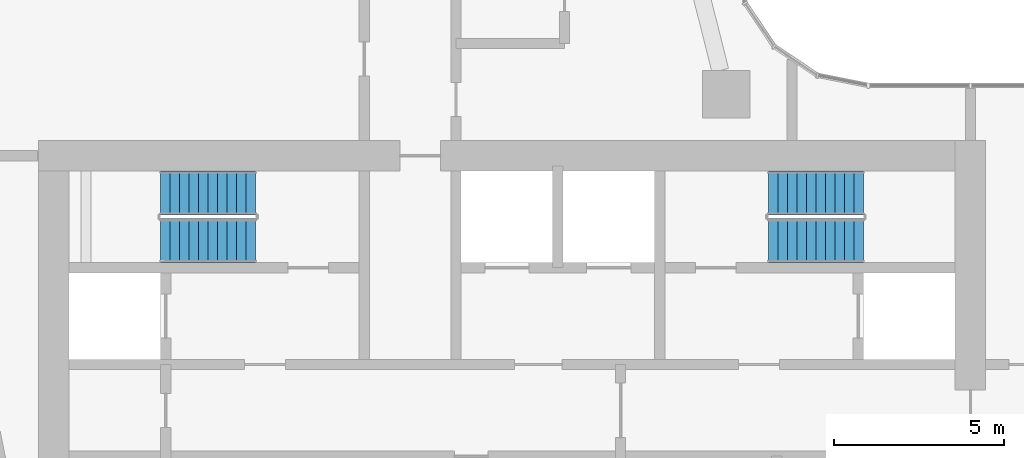
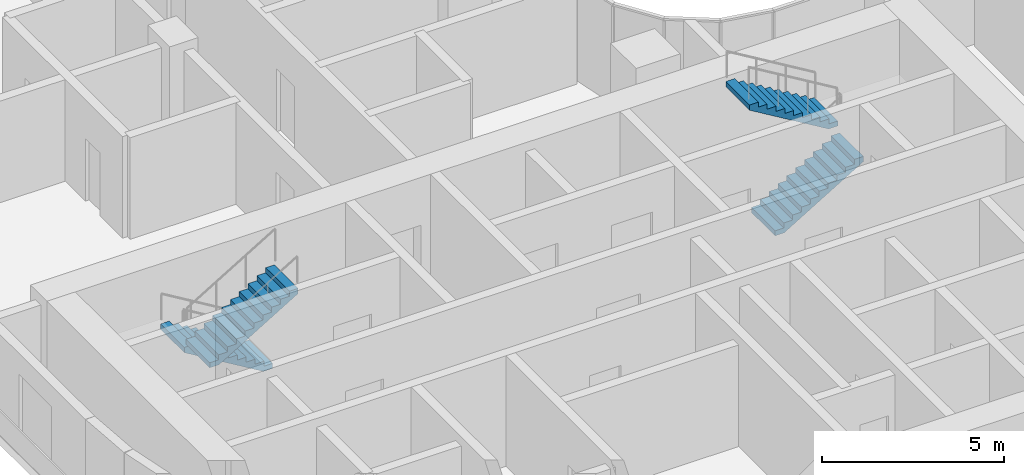
# One storey, part 24 of 32: 4 stair flights, 2 elements without a shape of their own.
"""IFC4 building model written with IfcOpenShell, lengths in metres."""

import ifcopenshell
import ifcopenshell.guid

model = None  # the IFC model being written
_history = None  # IfcOwnerHistory: only IFC2X3 demands one
_inside = {}  # id of a spatial element -> (the spatial element, [elements in it])
_under = {}  # id of a project, library or spatial element -> (it, [spatial elements below it])
_declared = {}  # id of a project -> (the project, [libraries it declares])
_typed = {}  # id of a type object -> (the type object, [elements of that type])
_made_of = {}  # id of a material, layer set ... -> (it, [elements and type objects made of it])


def new_model(schema):
    """Start an empty IFC model of exactly this schema.

    Asked for "IFC4X3", IfcOpenShell would pick the latest addendum, in which some entities
    have other attributes; the version numbers below select the first issue.
    IFC2X3 requires an IfcOwnerHistory on every rooted entity: one is made here for all.
    """
    global model, _history
    if schema == "IFC4X3":
        model = ifcopenshell.file(schema_version=(4, 3, 0, 0))
    else:
        model = ifcopenshell.file(schema=schema)
    _inside.clear()
    _under.clear()
    _declared.clear()
    _typed.clear()
    _made_of.clear()
    _history = None
    if model.schema == "IFC2X3":
        org = make("IfcOrganization", Name="unknown")
        user = make(
            "IfcPersonAndOrganization",
            ThePerson=make("IfcPerson", FamilyName="unknown"),
            TheOrganization=org,
        )
        app = make(
            "IfcApplication",
            ApplicationDeveloper=org,
            Version="unknown",
            ApplicationFullName="unknown",
            ApplicationIdentifier="unknown",
        )
        _history = make(
            "IfcOwnerHistory",
            OwningUser=user,
            OwningApplication=app,
            ChangeAction="ADDED",
            CreationDate=0,
        )
    return model


def make(cls, **values):
    """One entity of the class cls with the attributes given. An attribute that is None is left unset."""
    return model.create_entity(
        cls, **{name: value for name, value in values.items() if value is not None}
    )


def rooted(cls, **values):
    """An entity with a GlobalId (a new one), such as an element, a storey or a relation."""
    return make(cls, GlobalId=ifcopenshell.guid.new(), OwnerHistory=_history, **values)


def si_unit(unit_type, name, prefix=None):
    """IfcSIUnit, for example si_unit("LENGTHUNIT", "METRE", prefix="MILLI")."""
    return make("IfcSIUnit", UnitType=unit_type, Prefix=prefix, Name=name)


def assignment(units):
    """IfcUnitAssignment: the units of a project."""
    return None if units is None else make("IfcUnitAssignment", Units=units)


def point(xyz):
    """IfcCartesianPoint."""
    return None if xyz is None else make("IfcCartesianPoint", Coordinates=xyz)


def direction(xyz):
    """IfcDirection."""
    return None if xyz is None else make("IfcDirection", DirectionRatios=xyz)


def frame(location, z_axis=None, x_axis=None):
    """IfcAxis2Placement3D, a coordinate frame: its origin and axes. An axis left out is left unset."""
    return make(
        "IfcAxis2Placement3D",
        Location=point(location),
        Axis=direction(z_axis),
        RefDirection=direction(x_axis),
    )


def origin():
    """The frame at (0, 0, 0) with its axes left unset."""
    return frame((0.0, 0.0, 0.0))


def place(relative_to, where):
    """IfcLocalPlacement: puts the frame where relative to a parent placement (None: the world)."""
    return make(
        "IfcLocalPlacement", PlacementRelTo=relative_to, RelativePlacement=where
    )


def context(
    kind, dimensions, precision=None, world=None, true_north=None, identifier=None
):
    """IfcGeometricRepresentationContext, for example the 3D "Model" context."""
    return make(
        "IfcGeometricRepresentationContext",
        ContextIdentifier=identifier,
        ContextType=kind,
        CoordinateSpaceDimension=dimensions,
        Precision=precision,
        WorldCoordinateSystem=world,
        TrueNorth=true_north,
    )


def subcontext(parent, identifier, kind, view, scale=None):
    """IfcGeometricRepresentationSubContext, for example "Body" below "Model"."""
    return make(
        "IfcGeometricRepresentationSubContext",
        ContextIdentifier=identifier,
        ContextType=kind,
        ParentContext=parent,
        TargetScale=scale,
        TargetView=view,
    )


def project(units=None, contexts=None):
    """IfcProject with its units and contexts."""
    return rooted(
        "IfcProject",
        Name="project",
        RepresentationContexts=contexts,
        UnitsInContext=assignment(units),
    )


def spatial(cls, under=None, at=None, **own):
    """A site, building, storey or space (cls), placed at a placement, below another one or the project."""
    s = rooted(cls, ObjectPlacement=at, **own)
    if under is not None:
        _under.setdefault(under.id(), (under, []))[1].append(s)
    return s


def point_list(points):
    """IfcCartesianPointList2D or 3D."""
    cls = (
        "IfcCartesianPointList2D" if len(points[0]) == 2 else "IfcCartesianPointList3D"
    )
    return make(cls, CoordList=points)


def triangles(points, corners, closed=None, point_numbers=None):
    """IfcTriangulatedFaceSet: each triangle names its three corners, points numbered from 1."""
    return make(
        "IfcTriangulatedFaceSet",
        Coordinates=point_list(points),
        Closed=closed,
        CoordIndex=corners,
        PnIndex=point_numbers,
    )


def shape(context_of_items, identifier, shape_type, items):
    """IfcShapeRepresentation: the items that make up one representation, for example the "Body"."""
    return make(
        "IfcShapeRepresentation",
        ContextOfItems=context_of_items,
        RepresentationIdentifier=identifier,
        RepresentationType=shape_type,
        Items=items,
    )


def source(mapping_origin, context_of_items, identifier, shape_type, items):
    """IfcRepresentationMap: a shape defined once, which mapped items show again and again."""
    return make(
        "IfcRepresentationMap",
        MappingOrigin=mapping_origin,
        MappedRepresentation=shape(context_of_items, identifier, shape_type, items),
    )


def transform(
    local_origin,
    x_axis=None,
    y_axis=None,
    z_axis=None,
    scale=None,
    scale2=None,
    scale3=None,
    uniform=True,
):
    """IfcCartesianTransformationOperator3D, or its non-uniform kind. x_axis, y_axis, z_axis: its Axis1, 2, 3."""
    if uniform:
        return make(
            "IfcCartesianTransformationOperator3D",
            Axis1=direction(x_axis),
            Axis2=direction(y_axis),
            LocalOrigin=point(local_origin),
            Scale=scale,
            Axis3=direction(z_axis),
        )
    return make(
        "IfcCartesianTransformationOperator3DnonUniform",
        Axis1=direction(x_axis),
        Axis2=direction(y_axis),
        LocalOrigin=point(local_origin),
        Scale=scale,
        Axis3=direction(z_axis),
        Scale2=scale2,
        Scale3=scale3,
    )


def mapped(mapping_source, mapping_target):
    """IfcMappedItem: shows the shape of a source again, moved by a transform."""
    return make(
        "IfcMappedItem", MappingSource=mapping_source, MappingTarget=mapping_target
    )


def material(Name=None, Category=None):
    """IfcMaterial."""
    return make("IfcMaterial", Name=Name, Category=Category)


def made_of(thing, what):
    """Note that an element or type object is made of a material, layer set ...; save() writes the relation."""
    if what is not None:
        _made_of.setdefault(what.id(), (what, []))[1].append(thing)
    return thing


def type_object(cls, material=None, **own):
    """A type object (cls), such as IfcWallType, which elements share."""
    return made_of(rooted(cls, **own), material)


def element(
    cls,
    number,
    at=None,
    inside=None,
    cuts=None,
    type_object=None,
    material=None,
    context=None,
    identifier="Body",
    shape_type=None,
    held_by="IfcProductDefinitionShape",
    body=None,
    shapes=None,
    **own,
):
    """One element of the class cls, such as IfcWall. Its Tag is "e" and its number.

    at: its placement. inside: the storey or other place that contains it. cuts: it is an
    opening in that element (IfcRelVoidsElement). A single representation is given by context,
    identifier, shape_type and body (its items); several are given by shapes. held_by: the class
    of the entity that holds the representations. save() writes the other relations.
    """
    e = rooted(cls, Tag="e%d" % number, ObjectPlacement=at, **own)
    if body is not None:
        shapes = [shape(context, identifier, shape_type, body)]
    if shapes is not None:
        e.Representation = make(held_by, Representations=shapes)
    if inside is not None:
        _inside.setdefault(inside.id(), (inside, []))[1].append(e)
    if cuts is not None:
        rooted(
            "IfcRelVoidsElement", RelatingBuildingElement=cuts, RelatedOpeningElement=e
        )
    if type_object is not None:
        _typed.setdefault(type_object.id(), (type_object, []))[1].append(e)
    return made_of(e, material)


def aggregate(whole, parts):
    """IfcRelAggregates: a whole, such as a stair, and the parts it consists of."""
    return rooted("IfcRelAggregates", RelatingObject=whole, RelatedObjects=parts)


def save(model, path):
    """Write the relations noted so far, then the file.

    IfcRelAggregates (storeys below a building ...), IfcRelContainedInSpatialStructure (elements
    in a storey), IfcRelDefinesByType, IfcRelAssociatesMaterial and IfcRelDeclares: one each for
    every whole, place, type object, material and project.
    """
    for whole, parts in _under.values():
        aggregate(whole, parts)
    for where, things in _inside.values():
        rooted(
            "IfcRelContainedInSpatialStructure",
            RelatedElements=things,
            RelatingStructure=where,
        )
    for kind, things in _typed.values():
        rooted("IfcRelDefinesByType", RelatedObjects=things, RelatingType=kind)
    for what, things in _made_of.values():
        rooted("IfcRelAssociatesMaterial", RelatedObjects=things, RelatingMaterial=what)
    for by, libraries in _declared.values():
        rooted("IfcRelDeclares", RelatingContext=by, RelatedDefinitions=libraries)
    model.write(path)


model = new_model("IFC4")

# Units and contexts
model_context = context("Model", 3, precision=1e-05, world=origin(), true_north=direction((0.0, 1.0)))
body_context = subcontext(model_context, "Body", "Model", "MODEL_VIEW")
ifc_project = project(units=[si_unit("LENGTHUNIT", "METRE"), si_unit("AREAUNIT", "SQUARE_METRE"), si_unit("VOLUMEUNIT", "CUBIC_METRE"), si_unit("PLANEANGLEUNIT", "RADIAN"), si_unit("MASSUNIT", "GRAM", prefix="KILO")], contexts=[model_context])

# Site, building, storey
site_placement = place(None, origin())
site = spatial("IfcSite", under=ifc_project, at=site_placement, CompositionType="ELEMENT")
building_placement = place(site_placement, origin())
building = spatial("IfcBuilding", under=site, at=building_placement, Name="Ogive Portal Towers", CompositionType="ELEMENT")
storey_placement = place(building_placement, frame((0.0, 0.0, 55.699951171875)))
storey = spatial("IfcBuildingStorey", under=building, at=storey_placement, Name="L12", CompositionType="ELEMENT", Elevation=55.699951171875)

# Stair, stair flights
ifc_material = material(Name="Concrete C40/50", Category="concrete")
stair_type = type_object("IfcStairType", Name="INT-STAIR", PredefinedType="HALF_TURN_STAIR", material=ifc_material)
stair_1_placement = place(storey_placement, origin())
stair_1 = element("IfcStair", 1, at=stair_1_placement, inside=storey, type_object=stair_type, Name="L12 Exit Stair ST-A1", PredefinedType="HALF_TURN_STAIR")
stair_flight_type = type_object("IfcStairFlightType", Name="INT-FLIGHT", PredefinedType="STRAIGHT", material=ifc_material)
shared_shape = source(origin(), body_context, "Body", "Tessellation", [
    triangles([(0.0, -0.650146484375, 0.0), (0.0, -0.376220703125, 0.0), (0.0, -0.192626953125, 0.0), (0.0, -0.081298828125, 0.0), (0.0, -0.024169921875, 0.0), (0.0, -0.003173828125, 0.0), (0.0, 0.0, 0.0), (0.0, 0.0029296875, 0.0), (0.0, 0.02392578125, 0.0), (0.0, 0.0810546875, 0.0), (0.0, 0.1923828125, 0.0), (0.0, 0.3759765625, 0.0), (0.0, 0.64990234375, 0.0), (0.0, -0.650146484375, 0.168212890625), (0.0, -0.376220703125, 0.168212890625), (0.0, -0.192626953125, 0.168212890625), (0.0, -0.081298828125, 0.168212890625), (0.0, -0.024169921875, 0.168212890625), (0.0, -0.003173828125, 0.168212890625), (0.0, 0.0, 0.168212890625), (0.0, 0.0029296875, 0.168212890625), (0.0, 0.02392578125, 0.168212890625), (0.0, 0.0810546875, 0.168212890625), (0.0, 0.1923828125, 0.168212890625), (0.0, 0.3759765625, 0.168212890625), (0.0, 0.64990234375, 0.168212890625), (0.280029296875, -0.650146484375, 0.168212890625), (0.280029296875, -0.376220703125, 0.168212890625), (0.280029296875, -0.192626953125, 0.168212890625), (0.280029296875, -0.081298828125, 0.168212890625), (0.280029296875, -0.024169921875, 0.168212890625), (0.280029296875, -0.003173828125, 0.168212890625), (0.280029296875, 0.0, 0.168212890625), (0.280029296875, 0.0029296875, 0.168212890625), (0.280029296875, 0.02392578125, 0.168212890625), (0.280029296875, 0.0810546875, 0.168212890625), (0.280029296875, 0.1923828125, 0.168212890625), (0.280029296875, 0.3759765625, 0.168212890625), (0.280029296875, 0.64990234375, 0.168212890625), (0.280029296875, -0.650146484375, 0.33642578125), (0.280029296875, -0.376220703125, 0.33642578125), (0.280029296875, -0.192626953125, 0.33642578125), (0.280029296875, -0.081298828125, 0.33642578125), (0.280029296875, -0.024169921875, 0.33642578125), (0.280029296875, -0.003173828125, 0.33642578125), (0.280029296875, 0.0, 0.33642578125), (0.280029296875, 0.0029296875, 0.33642578125), (0.280029296875, 0.02392578125, 0.33642578125), (0.280029296875, 0.0810546875, 0.33642578125), (0.280029296875, 0.1923828125, 0.33642578125), (0.280029296875, 0.3759765625, 0.33642578125), (0.280029296875, 0.64990234375, 0.33642578125), (0.56005859375, -0.650146484375, 0.33642578125), (0.56005859375, -0.376220703125, 0.33642578125), (0.56005859375, -0.192626953125, 0.33642578125), (0.56005859375, -0.081298828125, 0.33642578125), (0.56005859375, -0.024169921875, 0.33642578125), (0.56005859375, -0.003173828125, 0.33642578125), (0.56005859375, 0.0, 0.33642578125), (0.56005859375, 0.0029296875, 0.33642578125), (0.56005859375, 0.02392578125, 0.33642578125), (0.56005859375, 0.0810546875, 0.33642578125), (0.56005859375, 0.1923828125, 0.33642578125), (0.56005859375, 0.3759765625, 0.33642578125), (0.56005859375, 0.64990234375, 0.33642578125), (0.56005859375, -0.650146484375, 0.504638671875), (0.56005859375, -0.376220703125, 0.504638671875), (0.56005859375, -0.192626953125, 0.504638671875), (0.56005859375, -0.081298828125, 0.504638671875), (0.56005859375, -0.024169921875, 0.504638671875), (0.56005859375, -0.003173828125, 0.504638671875), (0.56005859375, 0.0, 0.504638671875), (0.56005859375, 0.0029296875, 0.504638671875), (0.56005859375, 0.02392578125, 0.504638671875), (0.56005859375, 0.0810546875, 0.504638671875), (0.56005859375, 0.1923828125, 0.504638671875), (0.56005859375, 0.3759765625, 0.504638671875), (0.56005859375, 0.64990234375, 0.504638671875), (0.840087890625, -0.650146484375, 0.504638671875), (0.840087890625, -0.376220703125, 0.504638671875), (0.840087890625, -0.192626953125, 0.504638671875), (0.840087890625, -0.081298828125, 0.504638671875), (0.840087890625, -0.024169921875, 0.504638671875), (0.840087890625, -0.003173828125, 0.504638671875), (0.840087890625, 0.0, 0.504638671875), (0.840087890625, 0.0029296875, 0.504638671875), (0.840087890625, 0.02392578125, 0.504638671875), (0.840087890625, 0.0810546875, 0.504638671875), (0.840087890625, 0.1923828125, 0.504638671875), (0.840087890625, 0.3759765625, 0.504638671875), (0.840087890625, 0.64990234375, 0.504638671875), (0.840087890625, -0.650146484375, 0.672607421875), (0.840087890625, -0.376220703125, 0.672607421875), (0.840087890625, -0.192626953125, 0.672607421875), (0.840087890625, -0.081298828125, 0.672607421875), (0.840087890625, -0.024169921875, 0.672607421875), (0.840087890625, -0.003173828125, 0.672607421875), (0.840087890625, 0.0, 0.672607421875), (0.840087890625, 0.0029296875, 0.672607421875), (0.840087890625, 0.02392578125, 0.672607421875), (0.840087890625, 0.0810546875, 0.672607421875), (0.840087890625, 0.1923828125, 0.672607421875), (0.840087890625, 0.3759765625, 0.672607421875), (0.840087890625, 0.64990234375, 0.672607421875), (1.1201171875, -0.650146484375, 0.672607421875), (1.1201171875, -0.376220703125, 0.672607421875), (1.1201171875, -0.192626953125, 0.672607421875), (1.1201171875, -0.081298828125, 0.672607421875), (1.1201171875, -0.024169921875, 0.672607421875), (1.1201171875, -0.003173828125, 0.672607421875), (1.1201171875, 0.0, 0.672607421875), (1.1201171875, 0.0029296875, 0.672607421875), (1.1201171875, 0.02392578125, 0.672607421875), (1.1201171875, 0.0810546875, 0.672607421875), (1.1201171875, 0.1923828125, 0.672607421875), (1.1201171875, 0.3759765625, 0.672607421875), (1.1201171875, 0.64990234375, 0.672607421875), (1.1201171875, -0.650146484375, 0.8408203125), (1.1201171875, -0.376220703125, 0.8408203125), (1.1201171875, -0.192626953125, 0.8408203125), (1.1201171875, -0.081298828125, 0.8408203125), (1.1201171875, -0.024169921875, 0.8408203125), (1.1201171875, -0.003173828125, 0.8408203125), (1.1201171875, 0.0, 0.8408203125), (1.1201171875, 0.0029296875, 0.8408203125), (1.1201171875, 0.02392578125, 0.8408203125), (1.1201171875, 0.0810546875, 0.8408203125), (1.1201171875, 0.1923828125, 0.8408203125), (1.1201171875, 0.3759765625, 0.8408203125), (1.1201171875, 0.64990234375, 0.8408203125), (1.39990234375, -0.650146484375, 0.8408203125), (1.39990234375, -0.376220703125, 0.8408203125), (1.39990234375, -0.192626953125, 0.8408203125), (1.39990234375, -0.081298828125, 0.8408203125), (1.39990234375, -0.024169921875, 0.8408203125), (1.39990234375, -0.003173828125, 0.8408203125), (1.39990234375, 0.0, 0.8408203125), (1.39990234375, 0.0029296875, 0.8408203125), (1.39990234375, 0.02392578125, 0.8408203125), (1.39990234375, 0.0810546875, 0.8408203125), (1.39990234375, 0.1923828125, 0.8408203125), (1.39990234375, 0.3759765625, 0.8408203125), (1.39990234375, 0.64990234375, 0.8408203125), (1.39990234375, -0.650146484375, 1.009033203125), (1.39990234375, -0.376220703125, 1.009033203125), (1.39990234375, -0.192626953125, 1.009033203125), (1.39990234375, -0.081298828125, 1.009033203125), (1.39990234375, -0.024169921875, 1.009033203125), (1.39990234375, -0.003173828125, 1.009033203125), (1.39990234375, 0.0, 1.009033203125), (1.39990234375, 0.0029296875, 1.009033203125), (1.39990234375, 0.02392578125, 1.009033203125), (1.39990234375, 0.0810546875, 1.009033203125), (1.39990234375, 0.1923828125, 1.009033203125), (1.39990234375, 0.3759765625, 1.009033203125), (1.39990234375, 0.64990234375, 1.009033203125), (1.679931640625, -0.650146484375, 1.009033203125), (1.679931640625, -0.376220703125, 1.009033203125), (1.679931640625, -0.192626953125, 1.009033203125), (1.679931640625, -0.081298828125, 1.009033203125), (1.679931640625, -0.024169921875, 1.009033203125), (1.679931640625, -0.003173828125, 1.009033203125), (1.679931640625, 0.0, 1.009033203125), (1.679931640625, 0.0029296875, 1.009033203125), (1.679931640625, 0.02392578125, 1.009033203125), (1.679931640625, 0.0810546875, 1.009033203125), (1.679931640625, 0.1923828125, 1.009033203125), (1.679931640625, 0.3759765625, 1.009033203125), (1.679931640625, 0.64990234375, 1.009033203125), (1.679931640625, -0.650146484375, 1.17724609375), (1.679931640625, -0.376220703125, 1.17724609375), (1.679931640625, -0.192626953125, 1.17724609375), (1.679931640625, -0.081298828125, 1.17724609375), (1.679931640625, -0.024169921875, 1.17724609375), (1.679931640625, -0.003173828125, 1.17724609375), (1.679931640625, 0.0, 1.17724609375), (1.679931640625, 0.0029296875, 1.17724609375), (1.679931640625, 0.02392578125, 1.17724609375), (1.679931640625, 0.0810546875, 1.17724609375), (1.679931640625, 0.1923828125, 1.17724609375), (1.679931640625, 0.3759765625, 1.17724609375), (1.679931640625, 0.64990234375, 1.17724609375), (1.9599609375, -0.650146484375, 1.17724609375), (1.9599609375, -0.376220703125, 1.17724609375), (1.9599609375, -0.192626953125, 1.17724609375), (1.9599609375, -0.081298828125, 1.17724609375), (1.9599609375, -0.024169921875, 1.17724609375), (1.9599609375, -0.003173828125, 1.17724609375), (1.9599609375, 0.0, 1.17724609375), (1.9599609375, 0.0029296875, 1.17724609375), (1.9599609375, 0.02392578125, 1.17724609375), (1.9599609375, 0.0810546875, 1.17724609375), (1.9599609375, 0.1923828125, 1.17724609375), (1.9599609375, 0.3759765625, 1.17724609375), (1.9599609375, 0.64990234375, 1.17724609375), (1.9599609375, -0.650146484375, 1.345458984375), (1.9599609375, -0.376220703125, 1.345458984375), (1.9599609375, -0.192626953125, 1.345458984375), (1.9599609375, -0.081298828125, 1.345458984375), (1.9599609375, -0.024169921875, 1.345458984375), (1.9599609375, -0.003173828125, 1.345458984375), (1.9599609375, 0.0, 1.345458984375), (1.9599609375, 0.0029296875, 1.345458984375), (1.9599609375, 0.02392578125, 1.345458984375), (1.9599609375, 0.0810546875, 1.345458984375), (1.9599609375, 0.1923828125, 1.345458984375), (1.9599609375, 0.3759765625, 1.345458984375), (1.9599609375, 0.64990234375, 1.345458984375), (2.239990234375, -0.650146484375, 1.345458984375), (2.239990234375, -0.376220703125, 1.345458984375), (2.239990234375, -0.192626953125, 1.345458984375), (2.239990234375, -0.081298828125, 1.345458984375), (2.239990234375, -0.024169921875, 1.345458984375), (2.239990234375, -0.003173828125, 1.345458984375), (2.239990234375, 0.0, 1.345458984375), (2.239990234375, 0.0029296875, 1.345458984375), (2.239990234375, 0.02392578125, 1.345458984375), (2.239990234375, 0.0810546875, 1.345458984375), (2.239990234375, 0.1923828125, 1.345458984375), (2.239990234375, 0.3759765625, 1.345458984375), (2.239990234375, 0.64990234375, 1.345458984375), (2.239990234375, -0.650146484375, 1.513671875), (2.239990234375, -0.376220703125, 1.513671875), (2.239990234375, -0.192626953125, 1.513671875), (2.239990234375, -0.081298828125, 1.513671875), (2.239990234375, -0.024169921875, 1.513671875), (2.239990234375, -0.003173828125, 1.513671875), (2.239990234375, 0.0, 1.513671875), (2.239990234375, 0.0029296875, 1.513671875), (2.239990234375, 0.02392578125, 1.513671875), (2.239990234375, 0.0810546875, 1.513671875), (2.239990234375, 0.1923828125, 1.513671875), (2.239990234375, 0.3759765625, 1.513671875), (2.239990234375, 0.64990234375, 1.513671875), (2.52001953125, -0.650146484375, 1.513671875), (2.52001953125, -0.376220703125, 1.513671875), (2.52001953125, -0.192626953125, 1.513671875), (2.52001953125, -0.081298828125, 1.513671875), (2.52001953125, -0.024169921875, 1.513671875), (2.52001953125, -0.003173828125, 1.513671875), (2.52001953125, 0.0, 1.513671875), (2.52001953125, 0.0029296875, 1.513671875), (2.52001953125, 0.02392578125, 1.513671875), (2.52001953125, 0.0810546875, 1.513671875), (2.52001953125, 0.1923828125, 1.513671875), (2.52001953125, 0.3759765625, 1.513671875), (2.52001953125, 0.64990234375, 1.513671875), (2.52001953125, -0.650146484375, 1.681884765625), (2.52001953125, -0.376220703125, 1.681884765625), (2.52001953125, -0.192626953125, 1.681884765625), (2.52001953125, -0.081298828125, 1.681884765625), (2.52001953125, -0.024169921875, 1.681884765625), (2.52001953125, -0.003173828125, 1.681884765625), (2.52001953125, 0.0, 1.681884765625), (2.52001953125, 0.0029296875, 1.681884765625), (2.52001953125, 0.02392578125, 1.681884765625), (2.52001953125, 0.0810546875, 1.681884765625), (2.52001953125, 0.1923828125, 1.681884765625), (2.52001953125, 0.3759765625, 1.681884765625), (2.52001953125, 0.64990234375, 1.681884765625), (2.800048828125, -0.650146484375, 1.681884765625), (2.800048828125, -0.376220703125, 1.681884765625), (2.800048828125, -0.192626953125, 1.681884765625), (2.800048828125, -0.081298828125, 1.681884765625), (2.800048828125, -0.024169921875, 1.681884765625), (2.800048828125, -0.003173828125, 1.681884765625), (2.800048828125, 0.0, 1.681884765625), (2.800048828125, 0.0029296875, 1.681884765625), (2.800048828125, 0.02392578125, 1.681884765625), (2.800048828125, 0.0810546875, 1.681884765625), (2.800048828125, 0.1923828125, 1.681884765625), (2.800048828125, 0.3759765625, 1.681884765625), (2.800048828125, 0.64990234375, 1.681884765625), (2.800048828125, -0.650146484375, 1.5068359375), (2.800048828125, -0.376220703125, 1.5068359375), (2.800048828125, -0.192626953125, 1.5068359375), (2.800048828125, -0.081298828125, 1.5068359375), (2.800048828125, -0.024169921875, 1.5068359375), (2.800048828125, -0.003173828125, 1.5068359375), (2.800048828125, 0.0, 1.5068359375), (2.800048828125, 0.0029296875, 1.5068359375), (2.800048828125, 0.02392578125, 1.5068359375), (2.800048828125, 0.0810546875, 1.5068359375), (2.800048828125, 0.1923828125, 1.5068359375), (2.800048828125, 0.3759765625, 1.5068359375), (2.800048828125, 0.64990234375, 1.5068359375), (0.291015625, -0.650146484375, 0.0), (0.291015625, -0.376220703125, 0.0), (0.291015625, -0.192626953125, 0.0), (0.291015625, -0.081298828125, 0.0), (0.291015625, -0.024169921875, 0.0), (0.291015625, -0.003173828125, 0.0), (0.291015625, 0.0, 0.0), (0.291015625, 0.0029296875, 0.0), (0.291015625, 0.02392578125, 0.0), (0.291015625, 0.0810546875, 0.0), (0.291015625, 0.1923828125, 0.0), (0.291015625, 0.3759765625, 0.0), (0.291015625, 0.64990234375, 0.0)], [[1, 14, 15], [1, 15, 2], [2, 15, 16], [2, 16, 3], [3, 16, 17], [3, 17, 4], [4, 17, 18], [4, 18, 5], [5, 18, 19], [5, 19, 6], [6, 19, 20], [6, 20, 7], [7, 20, 21], [7, 21, 8], [8, 21, 22], [8, 22, 9], [9, 22, 23], [9, 23, 10], [10, 23, 24], [10, 24, 11], [11, 24, 25], [11, 25, 12], [12, 25, 26], [12, 26, 13], [14, 27, 28], [14, 28, 15], [15, 28, 29], [15, 29, 16], [16, 29, 30], [16, 30, 17], [17, 30, 31], [17, 31, 18], [18, 31, 32], [18, 32, 19], [19, 32, 33], [19, 33, 20], [20, 33, 34], [20, 34, 21], [21, 34, 35], [21, 35, 22], [22, 35, 36], [22, 36, 23], [23, 36, 37], [23, 37, 24], [24, 37, 38], [24, 38, 25], [25, 38, 39], [25, 39, 26], [27, 40, 41], [27, 41, 28], [28, 41, 42], [28, 42, 29], [29, 42, 43], [29, 43, 30], [30, 43, 44], [30, 44, 31], [31, 44, 45], [31, 45, 32], [32, 45, 46], [32, 46, 33], [33, 46, 47], [33, 47, 34], [34, 47, 48], [34, 48, 35], [35, 48, 49], [35, 49, 36], [36, 49, 50], [36, 50, 37], [37, 50, 51], [37, 51, 38], [38, 51, 52], [38, 52, 39], [40, 53, 54], [40, 54, 41], [41, 54, 55], [41, 55, 42], [42, 55, 56], [42, 56, 43], [43, 56, 57], [43, 57, 44], [44, 57, 58], [44, 58, 45], [45, 58, 59], [45, 59, 46], [46, 59, 60], [46, 60, 47], [47, 60, 61], [47, 61, 48], [48, 61, 62], [48, 62, 49], [49, 62, 63], [49, 63, 50], [50, 63, 64], [50, 64, 51], [51, 64, 65], [51, 65, 52], [53, 66, 67], [53, 67, 54], [54, 67, 68], [54, 68, 55], [55, 68, 69], [55, 69, 56], [56, 69, 70], [56, 70, 57], [57, 70, 71], [57, 71, 58], [58, 71, 72], [58, 72, 59], [59, 72, 73], [59, 73, 60], [60, 73, 74], [60, 74, 61], [61, 74, 75], [61, 75, 62], [62, 75, 76], [62, 76, 63], [63, 76, 77], [63, 77, 64], [64, 77, 78], [64, 78, 65], [66, 79, 80], [66, 80, 67], [67, 80, 81], [67, 81, 68], [68, 81, 82], [68, 82, 69], [69, 82, 83], [69, 83, 70], [70, 83, 84], [70, 84, 71], [71, 84, 85], [71, 85, 72], [72, 85, 86], [72, 86, 73], [73, 86, 87], [73, 87, 74], [74, 87, 88], [74, 88, 75], [75, 88, 89], [75, 89, 76], [76, 89, 90], [76, 90, 77], [77, 90, 91], [77, 91, 78], [79, 92, 93], [79, 93, 80], [80, 93, 94], [80, 94, 81], [81, 94, 95], [81, 95, 82], [82, 95, 96], [82, 96, 83], [83, 96, 97], [83, 97, 84], [84, 97, 98], [84, 98, 85], [85, 98, 99], [85, 99, 86], [86, 99, 100], [86, 100, 87], [87, 100, 101], [87, 101, 88], [88, 101, 102], [88, 102, 89], [89, 102, 103], [89, 103, 90], [90, 103, 104], [90, 104, 91], [92, 105, 106], [92, 106, 93], [93, 106, 107], [93, 107, 94], [94, 107, 108], [94, 108, 95], [95, 108, 109], [95, 109, 96], [96, 109, 110], [96, 110, 97], [97, 110, 111], [97, 111, 98], [98, 111, 112], [98, 112, 99], [99, 112, 113], [99, 113, 100], [100, 113, 114], [100, 114, 101], [101, 114, 115], [101, 115, 102], [102, 115, 116], [102, 116, 103], [103, 116, 117], [103, 117, 104], [105, 118, 119], [105, 119, 106], [106, 119, 120], [106, 120, 107], [107, 120, 121], [107, 121, 108], [108, 121, 122], [108, 122, 109], [109, 122, 123], [109, 123, 110], [110, 123, 124], [110, 124, 111], [111, 124, 125], [111, 125, 112], [112, 125, 126], [112, 126, 113], [113, 126, 127], [113, 127, 114], [114, 127, 128], [114, 128, 115], [115, 128, 129], [115, 129, 116], [116, 129, 130], [116, 130, 117], [118, 131, 132], [118, 132, 119], [119, 132, 133], [119, 133, 120], [120, 133, 134], [120, 134, 121], [121, 134, 135], [121, 135, 122], [122, 135, 136], [122, 136, 123], [123, 136, 137], [123, 137, 124], [124, 137, 138], [124, 138, 125], [125, 138, 139], [125, 139, 126], [126, 139, 140], [126, 140, 127], [127, 140, 141], [127, 141, 128], [128, 141, 142], [128, 142, 129], [129, 142, 143], [129, 143, 130], [131, 144, 145], [131, 145, 132], [132, 145, 146], [132, 146, 133], [133, 146, 147], [133, 147, 134], [134, 147, 148], [134, 148, 135], [135, 148, 149], [135, 149, 136], [136, 149, 150], [136, 150, 137], [137, 150, 151], [137, 151, 138], [138, 151, 152], [138, 152, 139], [139, 152, 153], [139, 153, 140], [140, 153, 154], [140, 154, 141], [141, 154, 155], [141, 155, 142], [142, 155, 156], [142, 156, 143], [144, 157, 158], [144, 158, 145], [145, 158, 159], [145, 159, 146], [146, 159, 160], [146, 160, 147], [147, 160, 161], [147, 161, 148], [148, 161, 162], [148, 162, 149], [149, 162, 163], [149, 163, 150], [150, 163, 164], [150, 164, 151], [151, 164, 165], [151, 165, 152], [152, 165, 166], [152, 166, 153], [153, 166, 167], [153, 167, 154], [154, 167, 168], [154, 168, 155], [155, 168, 169], [155, 169, 156], [157, 170, 171], [157, 171, 158], [158, 171, 172], [158, 172, 159], [159, 172, 173], [159, 173, 160], [160, 173, 174], [160, 174, 161], [161, 174, 175], [161, 175, 162], [162, 175, 176], [162, 176, 163], [163, 176, 177], [163, 177, 164], [164, 177, 178], [164, 178, 165], [165, 178, 179], [165, 179, 166], [166, 179, 180], [166, 180, 167], [167, 180, 181], [167, 181, 168], [168, 181, 182], [168, 182, 169], [170, 183, 184], [170, 184, 171], [171, 184, 185], [171, 185, 172], [172, 185, 186], [172, 186, 173], [173, 186, 187], [173, 187, 174], [174, 187, 188], [174, 188, 175], [175, 188, 189], [175, 189, 176], [176, 189, 190], [176, 190, 177], [177, 190, 191], [177, 191, 178], [178, 191, 192], [178, 192, 179], [179, 192, 193], [179, 193, 180], [180, 193, 194], [180, 194, 181], [181, 194, 195], [181, 195, 182], [183, 196, 197], [183, 197, 184], [184, 197, 198], [184, 198, 185], [185, 198, 199], [185, 199, 186], [186, 199, 200], [186, 200, 187], [187, 200, 201], [187, 201, 188], [188, 201, 202], [188, 202, 189], [189, 202, 203], [189, 203, 190], [190, 203, 204], [190, 204, 191], [191, 204, 205], [191, 205, 192], [192, 205, 206], [192, 206, 193], [193, 206, 207], [193, 207, 194], [194, 207, 208], [194, 208, 195], [196, 209, 210], [196, 210, 197], [197, 210, 211], [197, 211, 198], [198, 211, 212], [198, 212, 199], [199, 212, 213], [199, 213, 200], [200, 213, 214], [200, 214, 201], [201, 214, 215], [201, 215, 202], [202, 215, 216], [202, 216, 203], [203, 216, 217], [203, 217, 204], [204, 217, 218], [204, 218, 205], [205, 218, 219], [205, 219, 206], [206, 219, 220], [206, 220, 207], [207, 220, 221], [207, 221, 208], [209, 222, 223], [209, 223, 210], [210, 223, 224], [210, 224, 211], [211, 224, 225], [211, 225, 212], [212, 225, 226], [212, 226, 213], [213, 226, 227], [213, 227, 214], [214, 227, 228], [214, 228, 215], [215, 228, 229], [215, 229, 216], [216, 229, 230], [216, 230, 217], [217, 230, 231], [217, 231, 218], [218, 231, 232], [218, 232, 219], [219, 232, 233], [219, 233, 220], [220, 233, 234], [220, 234, 221], [222, 235, 236], [222, 236, 223], [223, 236, 237], [223, 237, 224], [224, 237, 238], [224, 238, 225], [225, 238, 239], [225, 239, 226], [226, 239, 240], [226, 240, 227], [227, 240, 241], [227, 241, 228], [228, 241, 242], [228, 242, 229], [229, 242, 243], [229, 243, 230], [230, 243, 244], [230, 244, 231], [231, 244, 245], [231, 245, 232], [232, 245, 246], [232, 246, 233], [233, 246, 247], [233, 247, 234], [235, 248, 249], [235, 249, 236], [236, 249, 250], [236, 250, 237], [237, 250, 251], [237, 251, 238], [238, 251, 252], [238, 252, 239], [239, 252, 253], [239, 253, 240], [240, 253, 254], [240, 254, 241], [241, 254, 255], [241, 255, 242], [242, 255, 256], [242, 256, 243], [243, 256, 257], [243, 257, 244], [244, 257, 258], [244, 258, 245], [245, 258, 259], [245, 259, 246], [246, 259, 260], [246, 260, 247], [248, 261, 262], [248, 262, 249], [249, 262, 263], [249, 263, 250], [250, 263, 264], [250, 264, 251], [251, 264, 265], [251, 265, 252], [252, 265, 266], [252, 266, 253], [253, 266, 267], [253, 267, 254], [254, 267, 268], [254, 268, 255], [255, 268, 269], [255, 269, 256], [256, 269, 270], [256, 270, 257], [257, 270, 271], [257, 271, 258], [258, 271, 272], [258, 272, 259], [259, 272, 273], [259, 273, 260], [261, 274, 275], [261, 275, 262], [262, 275, 276], [262, 276, 263], [263, 276, 277], [263, 277, 264], [264, 277, 278], [264, 278, 265], [265, 278, 279], [265, 279, 266], [266, 279, 280], [266, 280, 267], [267, 280, 281], [267, 281, 268], [268, 281, 282], [268, 282, 269], [269, 282, 283], [269, 283, 270], [270, 283, 284], [270, 284, 271], [271, 284, 285], [271, 285, 272], [272, 285, 286], [272, 286, 273], [274, 287, 288], [274, 288, 275], [275, 288, 289], [275, 289, 276], [276, 289, 290], [276, 290, 277], [277, 290, 291], [277, 291, 278], [278, 291, 292], [278, 292, 279], [279, 292, 293], [279, 293, 280], [280, 293, 294], [280, 294, 281], [281, 294, 295], [281, 295, 282], [282, 295, 296], [282, 296, 283], [283, 296, 297], [283, 297, 284], [284, 297, 298], [284, 298, 285], [285, 298, 299], [285, 299, 286], [287, 1, 2], [287, 2, 288], [288, 2, 3], [288, 3, 289], [289, 3, 4], [289, 4, 290], [290, 4, 5], [290, 5, 291], [291, 5, 6], [291, 6, 292], [292, 6, 7], [292, 7, 293], [293, 7, 8], [293, 8, 294], [294, 8, 9], [294, 9, 295], [295, 9, 10], [295, 10, 296], [296, 10, 11], [296, 11, 297], [297, 11, 12], [297, 12, 298], [298, 12, 13], [298, 13, 299], [1, 287, 274], [13, 286, 299], [274, 261, 248], [286, 260, 273], [274, 248, 235], [286, 247, 260], [274, 235, 222], [286, 234, 247], [274, 222, 209], [286, 221, 234], [209, 196, 183], [221, 195, 208], [274, 209, 183], [286, 195, 221], [183, 170, 157], [195, 169, 182], [274, 183, 157], [286, 169, 195], [157, 144, 131], [169, 143, 156], [274, 157, 131], [286, 143, 169], [131, 118, 105], [143, 117, 130], [274, 131, 105], [286, 117, 143], [1, 274, 105], [13, 117, 286], [105, 92, 79], [117, 91, 104], [79, 66, 53], [91, 65, 78], [105, 79, 53], [117, 65, 91], [53, 40, 27], [65, 39, 52], [105, 53, 27], [117, 39, 65], [1, 105, 27], [13, 39, 117], [27, 14, 1], [39, 13, 26]], closed=True),
])
stair_flight_1_placement = place(storey_placement, frame((37.449951171875, 38.39990234375, 0.0), z_axis=(0.0, 0.0, 1.0), x_axis=(-1.0, 0.0, 0.0)))
stair_flight_1 = element("IfcStairFlight", 2, at=stair_flight_1_placement, type_object=stair_flight_type, Name="ST-A1 flight 1", NumberOfRisers=11, NumberOfTreads=10, PredefinedType="STRAIGHT", RiserHeight=0.168181818, TreadLength=0.28, context=body_context, shape_type="MappedRepresentation", body=[
    mapped(shared_shape, transform((0.0, 0.0, 0.0), scale=1.0)),
])
stair_flight_2_placement = place(storey_placement, frame((34.64990234375, 37.0, 1.85009765625), z_axis=(0.0, 0.0, 1.0), x_axis=(1.0, 0.0, 0.0)))
stair_flight_2 = element("IfcStairFlight", 3, at=stair_flight_2_placement, type_object=stair_flight_type, Name="ST-A1 flight 2", NumberOfRisers=11, NumberOfTreads=10, PredefinedType="STRAIGHT", RiserHeight=0.168181818, TreadLength=0.28, context=body_context, shape_type="MappedRepresentation", body=[
    mapped(shared_shape, transform((0.0, 0.0, 0.0), scale=1.0)),
])
aggregate(stair_1, [stair_flight_1, stair_flight_2])

stair_2_placement = place(storey_placement, origin())
stair_2 = element("IfcStair", 4, at=stair_2_placement, inside=storey, type_object=stair_type, Name="L12 Exit Stair ST-A2", PredefinedType="HALF_TURN_STAIR")
stair_flight_3_placement = place(storey_placement, frame((52.550048828125, 37.0, 0.0), z_axis=(0.0, 0.0, 1.0), x_axis=(1.0, 0.0, 0.0)))
stair_flight_3 = element("IfcStairFlight", 5, at=stair_flight_3_placement, type_object=stair_flight_type, Name="ST-A2 flight 1", NumberOfRisers=11, NumberOfTreads=10, PredefinedType="STRAIGHT", RiserHeight=0.168181818, TreadLength=0.28, context=body_context, shape_type="MappedRepresentation", body=[
    mapped(shared_shape, transform((0.0, 0.0, 0.0), scale=1.0)),
])
stair_flight_4_placement = place(storey_placement, frame((55.35009765625, 38.39990234375, 1.85009765625), z_axis=(0.0, 0.0, 1.0), x_axis=(-1.0, 0.0, 0.0)))
stair_flight_4 = element("IfcStairFlight", 6, at=stair_flight_4_placement, type_object=stair_flight_type, Name="ST-A2 flight 2", NumberOfRisers=11, NumberOfTreads=10, PredefinedType="STRAIGHT", RiserHeight=0.168181818, TreadLength=0.28, context=body_context, shape_type="MappedRepresentation", body=[
    mapped(shared_shape, transform((0.0, 0.0, 0.0), scale=1.0)),
])
aggregate(stair_2, [stair_flight_3, stair_flight_4])

save(model, "model.ifc")
